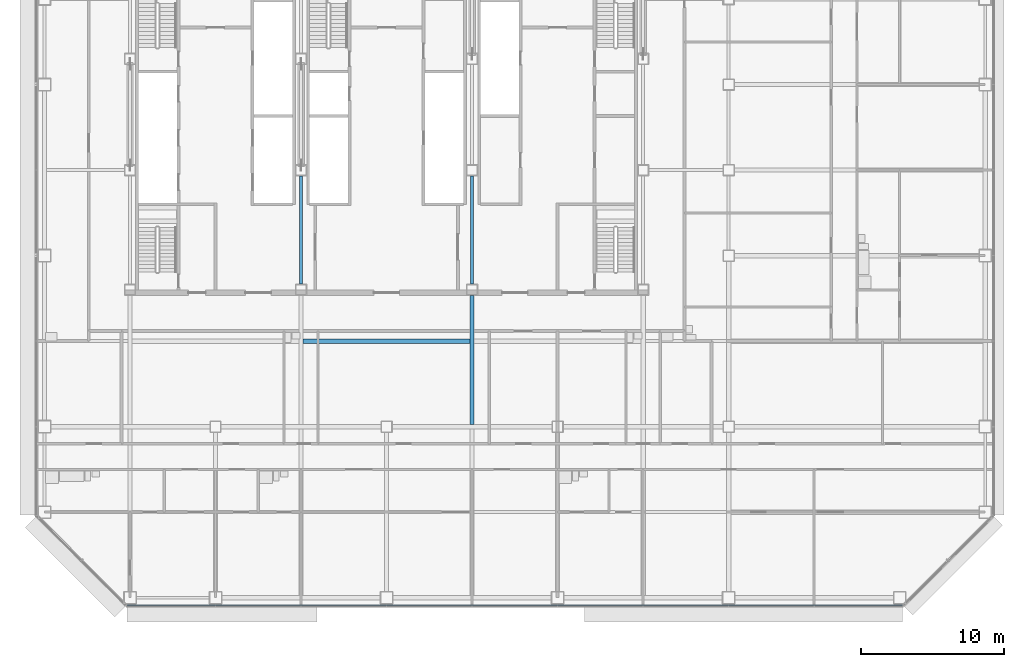
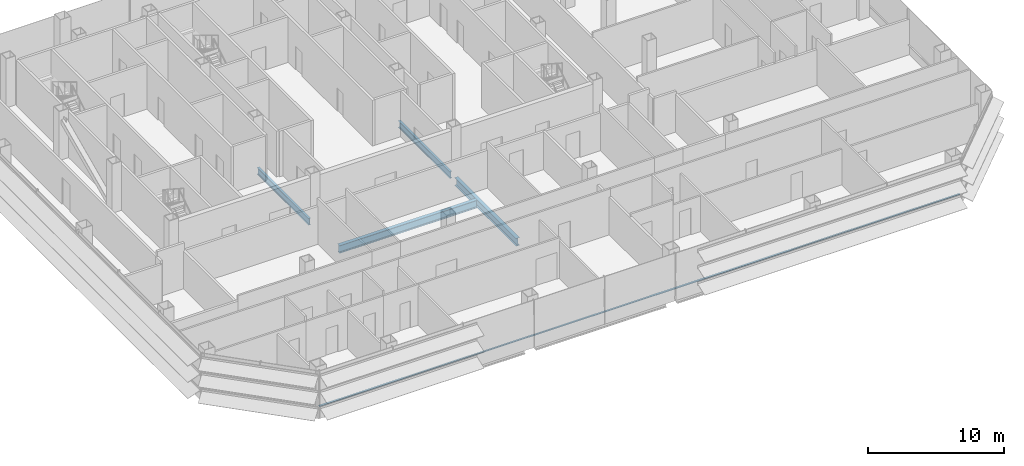
# One storey, part 7 of 27: 4 beams, 1 member, 1 element without a shape of its own.
"""IFC4 building model written with IfcOpenShell, lengths in metres."""

from ifc_helpers import new_model, si_unit, direction, frame, origin, origin_2d, place, context, subcontext, project, spatial, rectangle, i_section, extrude, material, material_profile, profile_set, type_object, element, aggregate, save


model = new_model("IFC4")

# Units and contexts
model_context = context("Model", 3, precision=1e-05, world=origin(), true_north=direction((0.0, 1.0)))
body_context = subcontext(model_context, "Body", "Model", "MODEL_VIEW")
ifc_project = project(units=[si_unit("LENGTHUNIT", "METRE"), si_unit("AREAUNIT", "SQUARE_METRE"), si_unit("VOLUMEUNIT", "CUBIC_METRE"), si_unit("PLANEANGLEUNIT", "RADIAN"), si_unit("MASSUNIT", "GRAM", prefix="KILO")], contexts=[model_context])

# Site, building, storey
site_placement = place(None, origin())
site = spatial("IfcSite", under=ifc_project, at=site_placement, CompositionType="ELEMENT")
building_placement = place(site_placement, origin())
building = spatial("IfcBuilding", under=site, at=building_placement, Name="Sorahane Residences", CompositionType="ELEMENT")
storey_placement = place(building_placement, frame((0.0, 0.0, 85.800048828125)))
storey = spatial("IfcBuildingStorey", under=building, at=storey_placement, Name="L18", CompositionType="ELEMENT", Elevation=85.800048828125)

# Curtain wall, member
ifc_material_1 = material(Name="Dark low-e glass and black anodised aluminium", Category="aluminium")
curtain_wall_type = type_object("IfcCurtainWallType", Name="Curtain wall CW-1 Typical unitised wall", PredefinedType="NOTDEFINED", material=ifc_material_1)
curtain_wall_placement = place(storey_placement, origin())
curtain_wall = element("IfcCurtainWall", 1, at=curtain_wall_placement, inside=storey, type_object=curtain_wall_type, Name="CW-1 curtain wall L18 S1", PredefinedType="NOTDEFINED")
ifc_material_2 = material(Name="Black anodised aluminium", Category="aluminium")
ifc_material_profile_1 = material_profile(ifc_material_2, rectangle(XDim=0.10009765625, YDim=0.06005859375, at=origin_2d()), Name="Curtain wall transom CW-1 black anodised aluminium 60x100")
ifc_profile_set_1 = profile_set([ifc_material_profile_1], Name="Black anodised aluminium")
member_type = type_object("IfcMemberType", Name="Curtain wall transom CW-1 black anodised aluminium 60x100", PredefinedType="USERDEFINED", material=ifc_profile_set_1)
member_placement = place(storey_placement, frame((5.801513671875, -0.530029296875, 0.89990234375), z_axis=(1.0, 0.0, 0.0), x_axis=(0.0, 1.0, 0.0)))
member = element("IfcMember", 2, at=member_placement, type_object=member_type, Name="CW-1 transom L18 S1", ObjectType="TRANSOM", PredefinedType="USERDEFINED", context=body_context, shape_type="SweptSolid", body=[
    extrude(rectangle(XDim=0.10009765625, YDim=0.06005859375, at=origin_2d()), origin(), (0.0, 0.0, 1.0), 54.39697265625),
])
aggregate(curtain_wall, [member])

# Beams
ifc_material_3 = material(Name="Steel Q355B", Category="steel")
ifc_material_profile_2 = material_profile(ifc_material_3, i_section(OverallWidth=0.199951171875, OverallDepth=0.60009765625, WebThickness=0.010986328125, FlangeThickness=0.01708984375, FilletRadius=0.02392578125, at=origin_2d()), Name="HN 600x200x11x17")
ifc_profile_set_2 = profile_set([ifc_material_profile_2], Name="Steel Q355B")
beam_type_1 = type_object("IfcBeamType", Name="Steel floor beam HN 600x200x11x17 Q355B", PredefinedType="BEAM", material=ifc_profile_set_2)
for number, where, z_axis, x_axis, name in (
    (3, (18.0, 22.0, -0.47998046875), (0.0, 1.0, 0.0), (-1.0, 0.0, 0.0), "Beam L18 031"),
    (4, (30.0, 22.0, -0.47998046875), (0.0, 1.0, 0.0), (-1.0, 0.0, 0.0), "Beam L18 039"),
):
    element("IfcBeam", number, at=place(storey_placement, frame(where, z_axis=z_axis, x_axis=x_axis)), inside=storey, type_object=beam_type_1, Name=name, PredefinedType="BEAM", context=body_context, shape_type="SweptSolid", body=[
        extrude(i_section(OverallWidth=0.199951171875, OverallDepth=0.60009765625, WebThickness=0.010986328125, FlangeThickness=0.01708984375, FilletRadius=0.02392578125, at=origin_2d()), origin(), (0.0, 0.0, 1.0), 7.60009765625),
    ])
ifc_material_4 = material(Name="Steel Q355B", Category="steel")
ifc_material_profile_3 = material_profile(ifc_material_4, i_section(OverallWidth=0.300048828125, OverallDepth=0.699951171875, WebThickness=0.012939453125, FlangeThickness=0.02392578125, FilletRadius=0.028076171875, at=origin_2d()), Name="HN 700x300x13x24")
ifc_profile_set_3 = profile_set([ifc_material_profile_3], Name="Steel Q355B")
beam_type_2 = type_object("IfcBeamType", Name="Steel floor beam HN 700x300x13x24 Q355B", PredefinedType="BEAM", material=ifc_profile_set_3)
beam_1_placement = place(storey_placement, frame((30.0, 12.14990234375, -0.530029296875), z_axis=(0.0, 1.0, 0.0), x_axis=(-1.0, 0.0, 0.0)))
element("IfcBeam", 5, at=beam_1_placement, inside=storey, type_object=beam_type_2, Name="Beam L18 038", PredefinedType="BEAM", context=body_context, shape_type="SweptSolid", body=[
    extrude(i_section(OverallWidth=0.300048828125, OverallDepth=0.699951171875, WebThickness=0.012939453125, FlangeThickness=0.02392578125, FilletRadius=0.028076171875, at=origin_2d()), origin(), (0.0, 0.0, 1.0), 9.050048828125),
])
beam_2_placement = place(storey_placement, frame((18.14990234375, 18.0, -0.530029296875), z_axis=(1.0, 0.0, 0.0), x_axis=(0.0, 1.0, 0.0)))
element("IfcBeam", 6, at=beam_2_placement, inside=storey, type_object=beam_type_2, Name="Beam L18 072", PredefinedType="BEAM", context=body_context, shape_type="SweptSolid", body=[
    extrude(i_section(OverallWidth=0.300048828125, OverallDepth=0.699951171875, WebThickness=0.012939453125, FlangeThickness=0.02392578125, FilletRadius=0.028076171875, at=origin_2d()), origin(), (0.0, 0.0, 1.0), 11.7001953125),
])

save(model, "model.ifc")
